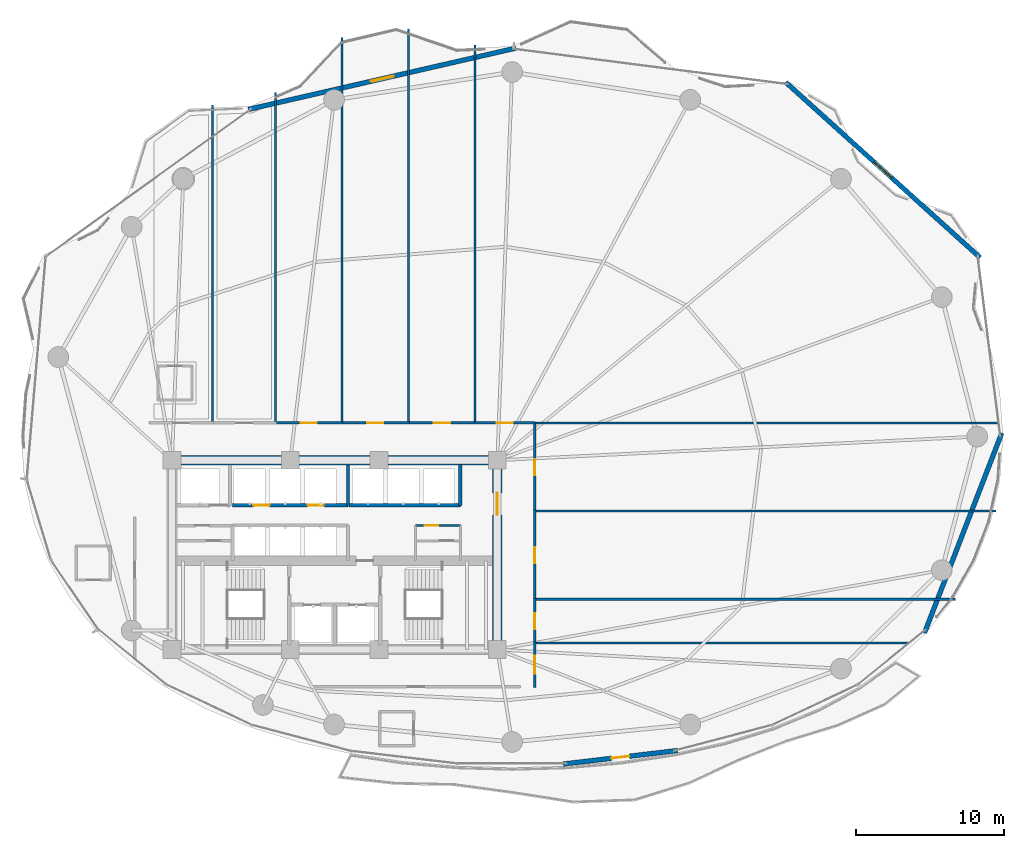
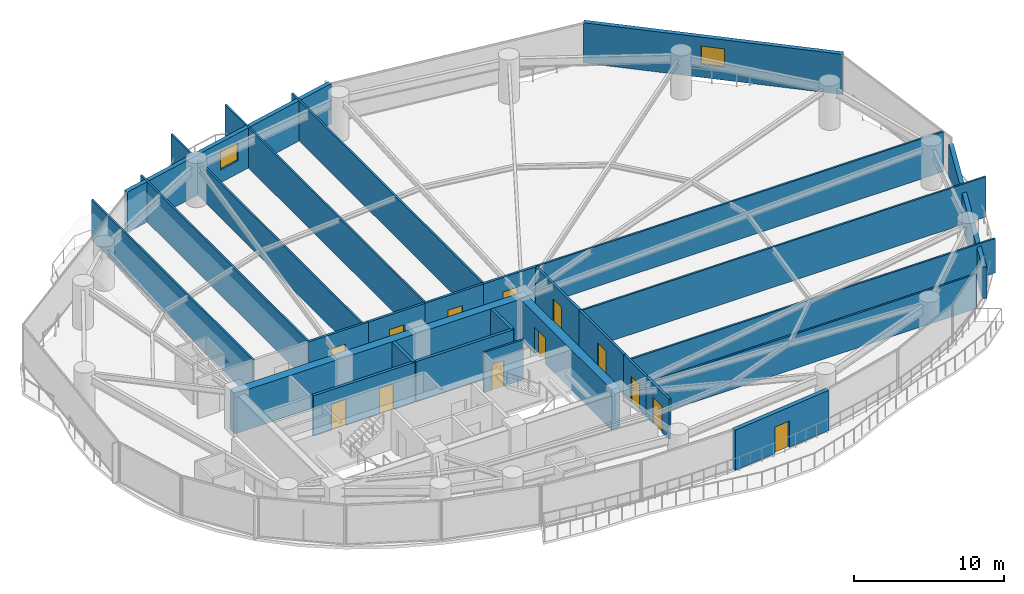
# One storey, part 26 of 30: 28 walls, 13 doors, 2 windows, 15 openings.
"""IFC4 building model written with IfcOpenShell, lengths in metres."""

from ifc_helpers import new_model, si_unit, direction, frame, frame_2d, origin, place, context, subcontext, project, spatial, rectangle, extrude, material, layer, layer_set, type_object, element, fill, save


model = new_model("IFC4")

# Units and contexts
model_context = context("Model", 3, precision=1e-05, world=origin(), true_north=direction((0.0, 1.0)))
body_context = subcontext(model_context, "Body", "Model", "MODEL_VIEW")
ifc_project = project(units=[si_unit("LENGTHUNIT", "METRE"), si_unit("AREAUNIT", "SQUARE_METRE"), si_unit("VOLUMEUNIT", "CUBIC_METRE"), si_unit("PLANEANGLEUNIT", "RADIAN"), si_unit("MASSUNIT", "GRAM", prefix="KILO")], contexts=[model_context])

# Site, building, storey
site_placement = place(None, origin())
site = spatial("IfcSite", under=ifc_project, at=site_placement, CompositionType="ELEMENT")
building_placement = place(site_placement, origin())
building = spatial("IfcBuilding", under=site, at=building_placement, Name="Kazevale Care Tower and Concert Hall", CompositionType="ELEMENT")
storey_placement = place(building_placement, frame((0.0, 0.0, 88.800048828125)))
storey = spatial("IfcBuildingStorey", under=building, at=storey_placement, Name="L23", CompositionType="ELEMENT", Elevation=88.800048828125)

# Wall, opening, door
ifc_material_1 = material(Name="Acoustic Gypsum on Steel Stud", Category="steel")
ifc_layer_1 = layer(ifc_material_1, 0.139892578125)
ifc_layer_set_1 = layer_set([ifc_layer_1], Name="Acoustic Gypsum on Steel Stud")
wall_type_1 = type_object("IfcWallType", Name="Acoustic Care & Suite Partition 140", PredefinedType="PARTITIONING", material=ifc_layer_set_1)
wall_1_placement = place(storey_placement, frame((38.47998046875, 31.97998046875, 0.0), z_axis=(0.0, 0.0, 1.0), x_axis=(1.0, 0.0, 0.0)))
wall_1 = element("IfcWall", 1, at=wall_1_placement, inside=storey, type_object=wall_type_1, Name="wall:L23:kc_en", PredefinedType="PARTITIONING", context=body_context, shape_type="SweptSolid", body=[
    extrude(rectangle(XDim=3.0400390625, YDim=0.139892578125, at=frame_2d((1.52001953125, 0.0))), origin(), (0.0, 0.0, 1.0), 3.280029296875),
])
opening_1_placement = place(wall_1_placement, frame((0.614013671875, 0.0, 0.0)))
opening_1 = element("IfcOpeningElement", 2, at=opening_1_placement, cuts=wall_1, Name="Opening ID-900", PredefinedType="OPENING", context=body_context, shape_type="SweptSolid", body=[
    extrude(rectangle(XDim=0.919921875, YDim=2.10009765625, at=frame_2d((0.4599609375, 1.050048828125))), frame((0.0, 0.079833984375, 0.0), z_axis=(0.0, -1.0, 0.0), x_axis=(1.0, 0.0, 0.0)), (0.0, 0.0, 1.0), 0.159912109375),
])
ifc_material_2 = material(Name="Oak Timber Fire Leaf", Category="wood")
door_type_1 = type_object("IfcDoorType", Name="Bathroom & Service Door 920x2100", OperationType="NOTDEFINED", PredefinedType="DOOR", material=ifc_material_2)
door_1_placement = place(opening_1_placement, origin())
door_1 = element("IfcDoor", 3, at=door_1_placement, inside=storey, type_object=door_type_1, Name="door:L23:d_kcet", OperationType="SINGLE_SWING_LEFT", OverallHeight=2.10009765625, OverallWidth=0.919921875, PredefinedType="DOOR", context=body_context, shape_type="SweptSolid", body=[
    extrude(rectangle(XDim=0.919921875, YDim=2.10009765625, at=frame_2d((0.4599609375, 1.050048828125))), frame((0.0, 0.02490234375, 0.0), z_axis=(0.0, -1.0, 0.0), x_axis=(1.0, 0.0, 0.0)), (0.0, 0.0, 1.0), 0.050048828125),
])
fill(opening_1, door_1)

# Walls
wall_2_placement = place(storey_placement, frame((24.75, 60.43896484375, 0.0), z_axis=(0.0, 0.0, 1.0), x_axis=(0.0, -1.0, 0.0)))
element("IfcWall", 4, at=wall_2_placement, inside=storey, type_object=wall_type_1, Name="wall:L23:auto_013", PredefinedType="PARTITIONING", context=body_context, shape_type="SweptSolid", body=[
    extrude(rectangle(XDim=21.5439453125, YDim=0.139892578125, at=frame_2d((10.77197265625, 0.0))), origin(), (0.0, 0.0, 1.0), 3.280029296875),
])
wall_3_placement = place(storey_placement, frame((29.0, 61.26806640625, 0.0), z_axis=(0.0, 0.0, 1.0), x_axis=(0.0, -1.0, 0.0)))
element("IfcWall", 5, at=wall_3_placement, inside=storey, type_object=wall_type_1, Name="wall:L23:auto_014", PredefinedType="PARTITIONING", context=body_context, shape_type="SweptSolid", body=[
    extrude(rectangle(XDim=22.373046875, YDim=0.139892578125, at=frame_2d((11.1865234375, 0.0))), origin(), (0.0, 0.0, 1.0), 3.280029296875),
])
wall_4_placement = place(storey_placement, frame((33.5, 64.97998046875, 0.0), z_axis=(0.0, 0.0, 1.0), x_axis=(0.0, -1.0, 0.0)))
element("IfcWall", 6, at=wall_4_placement, inside=storey, type_object=wall_type_1, Name="wall:L23:auto_015", PredefinedType="PARTITIONING", context=body_context, shape_type="SweptSolid", body=[
    extrude(rectangle(XDim=26.0849609375, YDim=0.139892578125, at=frame_2d((13.04248046875, 0.0))), origin(), (0.0, 0.0, 1.0), 2.81005859375),
])
wall_5_placement = place(storey_placement, frame((38.0, 65.548095703125, 0.0), z_axis=(0.0, 0.0, 1.0), x_axis=(0.0, -1.0, 0.0)))
element("IfcWall", 7, at=wall_5_placement, inside=storey, type_object=wall_type_1, Name="wall:L23:auto_016", PredefinedType="PARTITIONING", context=body_context, shape_type="SweptSolid", body=[
    extrude(rectangle(XDim=26.653076171875, YDim=0.139892578125, at=frame_2d((13.32666015625, 0.0))), origin(), (0.0, 0.0, 1.0), 3.280029296875),
])
wall_6_placement = place(storey_placement, frame((42.5, 64.488037109375, 0.0), z_axis=(0.0, 0.0, 1.0), x_axis=(0.0, -1.0, 0.0)))
element("IfcWall", 8, at=wall_6_placement, inside=storey, type_object=wall_type_1, Name="wall:L23:auto_017", PredefinedType="PARTITIONING", context=body_context, shape_type="SweptSolid", body=[
    extrude(rectangle(XDim=25.593017578125, YDim=0.139892578125, at=frame_2d((12.79638671875, 0.0))), origin(), (0.0, 0.0, 1.0), 3.280029296875),
])
wall_7_placement = place(storey_placement, frame((77.89404296875, 38.925048828125, 0.0), z_axis=(0.0, 0.0, 1.0), x_axis=(-1.0, 0.0, 0.0)))
element("IfcWall", 9, at=wall_7_placement, inside=storey, type_object=wall_type_1, Name="wall:L23:auto_018", PredefinedType="PARTITIONING", context=body_context, shape_type="SweptSolid", body=[
    extrude(rectangle(XDim=31.43408203125, YDim=0.139892578125, at=frame_2d((15.717041015625, 0.0))), origin(), (0.0, 0.0, 1.0), 3.280029296875),
])
wall_8_placement = place(storey_placement, frame((46.4951171875, 24.0400390625, 0.0), z_axis=(0.0, 0.0, 1.0), x_axis=(1.0, 0.0, 0.0)))
element("IfcWall", 10, at=wall_8_placement, inside=storey, type_object=wall_type_1, Name="wall:L23:auto_019", PredefinedType="PARTITIONING", context=body_context, shape_type="SweptSolid", body=[
    extrude(rectangle(XDim=25.343505859375, YDim=0.139892578125, at=frame_2d((12.671875, 0.0))), origin(), (0.0, 0.0, 1.0), 2.81005859375),
])
wall_9_placement = place(storey_placement, frame((46.4951171875, 27.0, 0.0), z_axis=(0.0, 0.0, 1.0), x_axis=(1.0, 0.0, 0.0)))
element("IfcWall", 11, at=wall_9_placement, inside=storey, type_object=wall_type_1, Name="wall:L23:auto_020", PredefinedType="PARTITIONING", context=body_context, shape_type="SweptSolid", body=[
    extrude(rectangle(XDim=28.498779296875, YDim=0.139892578125, at=frame_2d((14.24951171875, 0.0))), origin(), (0.0, 0.0, 1.0), 2.81005859375),
])
wall_10_placement = place(storey_placement, frame((46.4951171875, 32.9599609375, 0.0), z_axis=(0.0, 0.0, 1.0), x_axis=(1.0, 0.0, 0.0)))
element("IfcWall", 12, at=wall_10_placement, inside=storey, type_object=wall_type_1, Name="wall:L23:auto_021", PredefinedType="PARTITIONING", context=body_context, shape_type="SweptSolid", body=[
    extrude(rectangle(XDim=31.227783203125, YDim=0.139892578125, at=frame_2d((15.61376953125, 0.0))), origin(), (0.0, 0.0, 1.0), 3.280029296875),
])
ifc_material_3 = material(Name="Concrete C70", Category="concrete")
ifc_layer_2 = layer(ifc_material_3, 0.64990234375)
ifc_layer_set_2 = layer_set([ifc_layer_2], Name="Concrete C70")
wall_type_2 = type_object("IfcWallType", Name="Core Shear Wall 650 C70", PredefinedType="SHEAR", material=ifc_layer_set_2)
wall_11_placement = place(storey_placement, frame((21.675048828125, 36.39990234375, 0.0), z_axis=(0.0, 0.0, 1.0), x_axis=(1.0, 0.0, 0.0)))
element("IfcWall", 13, at=wall_11_placement, inside=storey, type_object=wall_type_2, Name="wall:L23:core:N", PredefinedType="SHEAR", context=body_context, shape_type="SweptSolid", body=[
    extrude(rectangle(XDim=22.64990234375, YDim=0.64990234375, at=frame_2d((11.324951171875, 0.0))), origin(), (0.0, 0.0, 1.0), 3.280029296875),
])

# Wall, opening, door
wall_12_placement = place(storey_placement, frame((44.0, 23.925048828125, 0.0), z_axis=(0.0, 0.0, 1.0), x_axis=(0.0, 1.0, 0.0)))
wall_12 = element("IfcWall", 14, at=wall_12_placement, inside=storey, type_object=wall_type_2, Name="wall:L23:core:E", PredefinedType="SHEAR", context=body_context, shape_type="SweptSolid", body=[
    extrude(rectangle(XDim=12.14990234375, YDim=0.64990234375, at=frame_2d((6.074951171875, 0.0))), origin(), (0.0, 0.0, 1.0), 3.280029296875),
])
opening_2_placement = place(wall_12_placement, frame((8.77490234375, 0.0, 0.0)))
opening_2 = element("IfcOpeningElement", 15, at=opening_2_placement, cuts=wall_12, Name="Opening FD-60D", PredefinedType="OPENING", context=body_context, shape_type="SweptSolid", body=[
    extrude(rectangle(XDim=1.5, YDim=2.14990234375, at=frame_2d((0.75, 1.074951171875))), frame((0.0, 0.3349609375, 0.0), z_axis=(0.0, -1.0, 0.0), x_axis=(1.0, 0.0, 0.0)), (0.0, 0.0, 1.0), 0.669921875),
])
door_type_2 = type_object("IfcDoorType", Name="Double Lobby & Auditorium Fire Door 1500x2150", OperationType="NOTDEFINED", PredefinedType="DOOR", material=ifc_material_2)
door_2_placement = place(opening_2_placement, origin())
door_2 = element("IfcDoor", 16, at=door_2_placement, inside=storey, type_object=door_type_2, Name="door:L23:core_east_out", OperationType="DOUBLE_DOOR_SINGLE_SWING", OverallHeight=2.14990234375, OverallWidth=1.5, PredefinedType="DOOR", context=body_context, shape_type="SweptSolid", body=[
    extrude(rectangle(XDim=1.5, YDim=2.14990234375, at=frame_2d((0.75, 1.074951171875))), frame((0.0, 0.02490234375, 0.0), z_axis=(0.0, -1.0, 0.0), x_axis=(1.0, 0.0, 0.0)), (0.0, 0.0, 1.0), 0.050048828125),
])
fill(opening_2, door_2)

# Wall, openings, doors
ifc_material_4 = material(Name="Concrete C40", Category="concrete")
ifc_layer_3 = layer(ifc_material_4, 0.219970703125)
ifc_layer_set_3 = layer_set([ifc_layer_3], Name="Concrete C40")
wall_type_3 = type_object("IfcWallType", Name="Elevator Hoistway Shaft Wall 220", PredefinedType="SOLIDWALL", material=ifc_layer_set_3)
wall_13_placement = place(storey_placement, frame((26.10009765625, 33.35009765625, 0.0), z_axis=(0.0, 0.0, 1.0), x_axis=(1.0, 0.0, 0.0)))
wall_13 = element("IfcWall", 17, at=wall_13_placement, inside=storey, type_object=wall_type_3, Name="wall:L23:c_pl_s", PredefinedType="SOLIDWALL", context=body_context, shape_type="SweptSolid", body=[
    extrude(rectangle(XDim=7.7998046875, YDim=0.219970703125, at=frame_2d((3.89990234375, 0.0))), origin(), (0.0, 0.0, 1.0), 3.280029296875),
])
opening_3_placement = place(wall_13_placement, frame((1.39990234375, 0.0, 0.0)))
opening_3 = element("IfcOpeningElement", 18, at=opening_3_placement, cuts=wall_13, Name="Opening LD-PAX", PredefinedType="OPENING", context=body_context, shape_type="SweptSolid", body=[
    extrude(rectangle(XDim=1.10009765625, YDim=2.10009765625, at=frame_2d((0.550048828125, 1.050048828125))), frame((0.0, 0.119873046875, 0.0), z_axis=(0.0, -1.0, 0.0), x_axis=(1.0, 0.0, 0.0)), (0.0, 0.0, 1.0), 0.239990234375),
])
opening_4_placement = place(wall_13_placement, frame((5.06591796875, 0.0, 0.0)))
opening_4 = element("IfcOpeningElement", 19, at=opening_4_placement, cuts=wall_13, Name="Opening LD-PAX", PredefinedType="OPENING", context=body_context, shape_type="SweptSolid", body=[
    extrude(rectangle(XDim=1.10009765625, YDim=2.10009765625, at=frame_2d((0.550048828125, 1.050048828125))), frame((0.0, 0.119873046875, 0.0), z_axis=(0.0, -1.0, 0.0), x_axis=(1.0, 0.0, 0.0)), (0.0, 0.0, 1.0), 0.239990234375),
])
ifc_material_5 = material(Name="Stainless Steel 316", Category="steel")
door_type_3 = type_object("IfcDoorType", Name="Passenger Lift Sliding Landing Door 1100x2100", OperationType="NOTDEFINED", PredefinedType="DOOR", material=ifc_material_5)
door_3_placement = place(opening_3_placement, origin())
door_3 = element("IfcDoor", 20, at=door_3_placement, inside=storey, type_object=door_type_3, Name="door:L23:ld_pl1", OperationType="SLIDING_TO_LEFT", OverallHeight=2.10009765625, OverallWidth=1.10009765625, PredefinedType="DOOR", context=body_context, shape_type="SweptSolid", body=[
    extrude(rectangle(XDim=1.10009765625, YDim=2.10009765625, at=frame_2d((0.550048828125, 1.050048828125))), frame((0.0, 0.02490234375, 0.0), z_axis=(0.0, -1.0, 0.0), x_axis=(1.0, 0.0, 0.0)), (0.0, 0.0, 1.0), 0.050048828125),
])
fill(opening_3, door_3)
door_4_placement = place(opening_4_placement, origin())
door_4 = element("IfcDoor", 21, at=door_4_placement, inside=storey, type_object=door_type_3, Name="door:L23:ld_pl2", OperationType="SLIDING_TO_RIGHT", OverallHeight=2.10009765625, OverallWidth=1.10009765625, PredefinedType="DOOR", context=body_context, shape_type="SweptSolid", body=[
    extrude(rectangle(XDim=1.10009765625, YDim=2.10009765625, at=frame_2d((0.550048828125, 1.050048828125))), frame((0.0, 0.02490234375, 0.0), z_axis=(0.0, -1.0, 0.0), x_axis=(1.0, 0.0, 0.0)), (0.0, 0.0, 1.0), 0.050048828125),
])
fill(opening_4, door_4)

# Walls
wall_14_placement = place(storey_placement, frame((33.89990234375, 33.35009765625, 0.0), z_axis=(0.0, 0.0, 1.0), x_axis=(0.0, 1.0, 0.0)))
element("IfcWall", 22, at=wall_14_placement, inside=storey, type_object=wall_type_3, Name="wall:L23:c_pl_e", PredefinedType="SOLIDWALL", context=body_context, shape_type="SweptSolid", body=[
    extrude(rectangle(XDim=2.72998046875, YDim=0.219970703125, at=frame_2d((1.364990234375, 0.0))), origin(), (0.0, 0.0, 1.0), 3.280029296875),
])
wall_15_placement = place(storey_placement, frame((33.97998046875, 33.35009765625, 0.0), z_axis=(0.0, 0.0, 1.0), x_axis=(1.0, 0.0, 0.0)))
element("IfcWall", 23, at=wall_15_placement, inside=storey, type_object=wall_type_3, Name="wall:L23:c_pm_s", PredefinedType="SOLIDWALL", context=body_context, shape_type="SweptSolid", body=[
    extrude(rectangle(XDim=7.5400390625, YDim=0.219970703125, at=frame_2d((3.77001953125, 0.0))), origin(), (0.0, 0.0, 1.0), 3.280029296875),
])
wall_16_placement = place(storey_placement, frame((41.5, 33.35009765625, 0.0), z_axis=(0.0, 0.0, 1.0), x_axis=(0.0, 1.0, 0.0)))
element("IfcWall", 24, at=wall_16_placement, inside=storey, type_object=wall_type_3, Name="wall:L23:c_pm_e", PredefinedType="SOLIDWALL", context=body_context, shape_type="SweptSolid", body=[
    extrude(rectangle(XDim=2.75, YDim=0.219970703125, at=frame_2d((1.375, 0.0))), origin(), (0.0, 0.0, 1.0), 3.280029296875),
])

# Wall, opening, door
ifc_material_6 = material(Name="Concrete C40 and Acoustic Gypsum", Category="concrete")
ifc_layer_4 = layer(ifc_material_6, 0.179931640625)
ifc_layer_set_4 = layer_set([ifc_layer_4], Name="Concrete C40 and Acoustic Gypsum")
wall_type_4 = type_object("IfcWallType", Name="Fire-Rated Corridor & Party Wall 180", PredefinedType="PARTITIONING", material=ifc_layer_set_4)
wall_17_placement = place(storey_placement, frame((28.93505859375, 38.925048828125, 0.0), z_axis=(0.0, 0.0, 1.0), x_axis=(1.0, 0.0, 0.0)))
wall_17 = element("IfcWall", 25, at=wall_17_placement, inside=storey, type_object=wall_type_4, Name="wall:L23:auto_003", PredefinedType="PARTITIONING", context=body_context, shape_type="SweptSolid", body=[
    extrude(rectangle(XDim=4.6298828125, YDim=0.179931640625, at=frame_2d((2.31494140625, 0.0))), origin(), (0.0, 0.0, 1.0), 3.280029296875),
])
opening_5_placement = place(wall_17_placement, frame((1.764892578125, 0.0, 0.0)))
opening_5 = element("IfcOpeningElement", 26, at=opening_5_placement, cuts=wall_17, Name="Opening ID-1100", PredefinedType="OPENING", context=body_context, shape_type="SweptSolid", body=[
    extrude(rectangle(XDim=1.10009765625, YDim=2.10009765625, at=frame_2d((0.550048828125, 1.050048828125))), frame((0.0, 0.099853515625, 0.0), z_axis=(0.0, -1.0, 0.0), x_axis=(1.0, 0.0, 0.0)), (0.0, 0.0, 1.0), 0.199951171875),
])
door_type_4 = type_object("IfcDoorType", Name="Care Bedroom Accessible Door 1100x2100", OperationType="NOTDEFINED", PredefinedType="DOOR", material=ifc_material_2)
door_5_placement = place(opening_5_placement, origin())
door_5 = element("IfcDoor", 27, at=door_5_placement, inside=storey, type_object=door_type_4, Name="door:L23:ad_003", OperationType="SINGLE_SWING_LEFT", OverallHeight=2.10009765625, OverallWidth=1.10009765625, PredefinedType="DOOR", context=body_context, shape_type="SweptSolid", body=[
    extrude(rectangle(XDim=1.10009765625, YDim=2.10009765625, at=frame_2d((0.550048828125, 1.050048828125))), frame((0.0, 0.02490234375, 0.0), z_axis=(0.0, -1.0, 0.0), x_axis=(1.0, 0.0, 0.0)), (0.0, 0.0, 1.0), 0.050048828125),
])
fill(opening_5, door_5)

wall_18_placement = place(storey_placement, frame((33.43505859375, 38.925048828125, 0.0), z_axis=(0.0, 0.0, 1.0), x_axis=(1.0, 0.0, 0.0)))
wall_18 = element("IfcWall", 28, at=wall_18_placement, inside=storey, type_object=wall_type_4, Name="wall:L23:auto_004", PredefinedType="PARTITIONING", context=body_context, shape_type="SweptSolid", body=[
    extrude(rectangle(XDim=4.6298828125, YDim=0.179931640625, at=frame_2d((2.31494140625, 0.0))), origin(), (0.0, 0.0, 1.0), 3.280029296875),
])
opening_6_placement = place(wall_18_placement, frame((1.764892578125, 0.0, 0.0)))
opening_6 = element("IfcOpeningElement", 29, at=opening_6_placement, cuts=wall_18, Name="Opening ID-1100", PredefinedType="OPENING", context=body_context, shape_type="SweptSolid", body=[
    extrude(rectangle(XDim=1.10009765625, YDim=2.10009765625, at=frame_2d((0.550048828125, 1.050048828125))), frame((0.0, 0.099853515625, 0.0), z_axis=(0.0, -1.0, 0.0), x_axis=(1.0, 0.0, 0.0)), (0.0, 0.0, 1.0), 0.199951171875),
])
door_6_placement = place(opening_6_placement, origin())
door_6 = element("IfcDoor", 30, at=door_6_placement, inside=storey, type_object=door_type_4, Name="door:L23:ad_004", OperationType="SINGLE_SWING_LEFT", OverallHeight=2.10009765625, OverallWidth=1.10009765625, PredefinedType="DOOR", context=body_context, shape_type="SweptSolid", body=[
    extrude(rectangle(XDim=1.10009765625, YDim=2.10009765625, at=frame_2d((0.550048828125, 1.050048828125))), frame((0.0, 0.02490234375, 0.0), z_axis=(0.0, -1.0, 0.0), x_axis=(1.0, 0.0, 0.0)), (0.0, 0.0, 1.0), 0.050048828125),
])
fill(opening_6, door_6)

wall_19_placement = place(storey_placement, frame((37.93505859375, 38.925048828125, 0.0), z_axis=(0.0, 0.0, 1.0), x_axis=(1.0, 0.0, 0.0)))
wall_19 = element("IfcWall", 31, at=wall_19_placement, inside=storey, type_object=wall_type_4, Name="wall:L23:auto_005", PredefinedType="PARTITIONING", context=body_context, shape_type="SweptSolid", body=[
    extrude(rectangle(XDim=4.6298828125, YDim=0.179931640625, at=frame_2d((2.31494140625, 0.0))), origin(), (0.0, 0.0, 1.0), 3.280029296875),
])
opening_7_placement = place(wall_19_placement, frame((1.764892578125, 0.0, 0.0)))
opening_7 = element("IfcOpeningElement", 32, at=opening_7_placement, cuts=wall_19, Name="Opening ID-1100", PredefinedType="OPENING", context=body_context, shape_type="SweptSolid", body=[
    extrude(rectangle(XDim=1.10009765625, YDim=2.10009765625, at=frame_2d((0.550048828125, 1.050048828125))), frame((0.0, 0.099853515625, 0.0), z_axis=(0.0, -1.0, 0.0), x_axis=(1.0, 0.0, 0.0)), (0.0, 0.0, 1.0), 0.199951171875),
])
door_7_placement = place(opening_7_placement, origin())
door_7 = element("IfcDoor", 33, at=door_7_placement, inside=storey, type_object=door_type_4, Name="door:L23:ad_005", OperationType="SINGLE_SWING_LEFT", OverallHeight=2.10009765625, OverallWidth=1.10009765625, PredefinedType="DOOR", context=body_context, shape_type="SweptSolid", body=[
    extrude(rectangle(XDim=1.10009765625, YDim=2.10009765625, at=frame_2d((0.550048828125, 1.050048828125))), frame((0.0, 0.02490234375, 0.0), z_axis=(0.0, -1.0, 0.0), x_axis=(1.0, 0.0, 0.0)), (0.0, 0.0, 1.0), 0.050048828125),
])
fill(opening_7, door_7)

wall_20_placement = place(storey_placement, frame((42.43505859375, 38.925048828125, 0.0), z_axis=(0.0, 0.0, 1.0), x_axis=(1.0, 0.0, 0.0)))
wall_20 = element("IfcWall", 34, at=wall_20_placement, inside=storey, type_object=wall_type_4, Name="wall:L23:auto_006", PredefinedType="PARTITIONING", context=body_context, shape_type="SweptSolid", body=[
    extrude(rectangle(XDim=4.119873046875, YDim=0.179931640625, at=frame_2d((2.06005859375, 0.0))), origin(), (0.0, 0.0, 1.0), 3.280029296875),
])
opening_8_placement = place(wall_20_placement, frame((1.510009765625, 0.0, 0.0)))
opening_8 = element("IfcOpeningElement", 35, at=opening_8_placement, cuts=wall_20, Name="Opening ID-1100", PredefinedType="OPENING", context=body_context, shape_type="SweptSolid", body=[
    extrude(rectangle(XDim=1.10009765625, YDim=2.10009765625, at=frame_2d((0.550048828125, 1.050048828125))), frame((0.0, 0.099853515625, 0.0), z_axis=(0.0, -1.0, 0.0), x_axis=(1.0, 0.0, 0.0)), (0.0, 0.0, 1.0), 0.199951171875),
])
door_8_placement = place(opening_8_placement, origin())
door_8 = element("IfcDoor", 36, at=door_8_placement, inside=storey, type_object=door_type_4, Name="door:L23:ad_006", OperationType="SINGLE_SWING_LEFT", OverallHeight=2.10009765625, OverallWidth=1.10009765625, PredefinedType="DOOR", context=body_context, shape_type="SweptSolid", body=[
    extrude(rectangle(XDim=1.10009765625, YDim=2.10009765625, at=frame_2d((0.550048828125, 1.050048828125))), frame((0.0, 0.02490234375, 0.0), z_axis=(0.0, -1.0, 0.0), x_axis=(1.0, 0.0, 0.0)), (0.0, 0.0, 1.0), 0.050048828125),
])
fill(opening_8, door_8)

wall_21_placement = place(storey_placement, frame((46.52490234375, 24.10498046875, 0.0), z_axis=(0.0, 0.0, 1.0), x_axis=(0.0, -1.0, 0.0)))
wall_21 = element("IfcWall", 37, at=wall_21_placement, inside=storey, type_object=wall_type_4, Name="wall:L23:auto_007", PredefinedType="PARTITIONING", context=body_context, shape_type="SweptSolid", body=[
    extrude(rectangle(XDim=3.06005859375, YDim=0.179931640625, at=frame_2d((1.530029296875, 0.0))), origin(), (0.0, 0.0, 1.0), 3.280029296875),
])
opening_9_placement = place(wall_21_placement, frame((0.929931640625, 0.0, 0.0)))
opening_9 = element("IfcOpeningElement", 38, at=opening_9_placement, cuts=wall_21, Name="Opening ID-1200", PredefinedType="OPENING", context=body_context, shape_type="SweptSolid", body=[
    extrude(rectangle(XDim=1.199951171875, YDim=2.14990234375, at=frame_2d((0.60009765625, 1.074951171875))), frame((0.0, 0.099853515625, 0.0), z_axis=(0.0, -1.0, 0.0), x_axis=(1.0, 0.0, 0.0)), (0.0, 0.0, 1.0), 0.199951171875),
])
door_type_5 = type_object("IfcDoorType", Name="Clinical & Therapy Door 1200x2150", OperationType="NOTDEFINED", PredefinedType="DOOR", material=ifc_material_2)
door_9_placement = place(opening_9_placement, origin())
door_9 = element("IfcDoor", 39, at=door_9_placement, inside=storey, type_object=door_type_5, Name="door:L23:ad_007", OperationType="SINGLE_SWING_LEFT", OverallHeight=2.14990234375, OverallWidth=1.199951171875, PredefinedType="DOOR", context=body_context, shape_type="SweptSolid", body=[
    extrude(rectangle(XDim=1.199951171875, YDim=2.14990234375, at=frame_2d((0.60009765625, 1.074951171875))), frame((0.0, 0.02490234375, 0.0), z_axis=(0.0, -1.0, 0.0), x_axis=(1.0, 0.0, 0.0)), (0.0, 0.0, 1.0), 0.050048828125),
])
fill(opening_9, door_9)

wall_22_placement = place(storey_placement, frame((46.52490234375, 27.06494140625, 0.0), z_axis=(0.0, 0.0, 1.0), x_axis=(0.0, -1.0, 0.0)))
wall_22 = element("IfcWall", 40, at=wall_22_placement, inside=storey, type_object=wall_type_4, Name="wall:L23:auto_008", PredefinedType="PARTITIONING", context=body_context, shape_type="SweptSolid", body=[
    extrude(rectangle(XDim=3.08984375, YDim=0.179931640625, at=frame_2d((1.544921875, 0.0))), origin(), (0.0, 0.0, 1.0), 3.280029296875),
])
opening_10_placement = place(wall_22_placement, frame((0.9951171875, 0.0, 0.0)))
opening_10 = element("IfcOpeningElement", 41, at=opening_10_placement, cuts=wall_22, Name="Opening ID-1100", PredefinedType="OPENING", context=body_context, shape_type="SweptSolid", body=[
    extrude(rectangle(XDim=1.10009765625, YDim=2.10009765625, at=frame_2d((0.550048828125, 1.050048828125))), frame((0.0, 0.099853515625, 0.0), z_axis=(0.0, -1.0, 0.0), x_axis=(1.0, 0.0, 0.0)), (0.0, 0.0, 1.0), 0.199951171875),
])
door_10_placement = place(opening_10_placement, origin())
door_10 = element("IfcDoor", 42, at=door_10_placement, inside=storey, type_object=door_type_4, Name="door:L23:ad_008", OperationType="SINGLE_SWING_LEFT", OverallHeight=2.10009765625, OverallWidth=1.10009765625, PredefinedType="DOOR", context=body_context, shape_type="SweptSolid", body=[
    extrude(rectangle(XDim=1.10009765625, YDim=2.10009765625, at=frame_2d((0.550048828125, 1.050048828125))), frame((0.0, 0.02490234375, 0.0), z_axis=(0.0, -1.0, 0.0), x_axis=(1.0, 0.0, 0.0)), (0.0, 0.0, 1.0), 0.050048828125),
])
fill(opening_10, door_10)

wall_23_placement = place(storey_placement, frame((46.52490234375, 33.02490234375, 0.0), z_axis=(0.0, 0.0, 1.0), x_axis=(0.0, -1.0, 0.0)))
wall_23 = element("IfcWall", 43, at=wall_23_placement, inside=storey, type_object=wall_type_4, Name="wall:L23:auto_009", PredefinedType="PARTITIONING", context=body_context, shape_type="SweptSolid", body=[
    extrude(rectangle(XDim=6.08984375, YDim=0.179931640625, at=frame_2d((3.044921875, 0.0))), origin(), (0.0, 0.0, 1.0), 3.280029296875),
])
opening_11_placement = place(wall_23_placement, frame((2.4951171875, 0.0, 0.0)))
opening_11 = element("IfcOpeningElement", 44, at=opening_11_placement, cuts=wall_23, Name="Opening ID-1100", PredefinedType="OPENING", context=body_context, shape_type="SweptSolid", body=[
    extrude(rectangle(XDim=1.10009765625, YDim=2.10009765625, at=frame_2d((0.550048828125, 1.050048828125))), frame((0.0, 0.099853515625, 0.0), z_axis=(0.0, -1.0, 0.0), x_axis=(1.0, 0.0, 0.0)), (0.0, 0.0, 1.0), 0.199951171875),
])
door_11_placement = place(opening_11_placement, origin())
door_11 = element("IfcDoor", 45, at=door_11_placement, inside=storey, type_object=door_type_4, Name="door:L23:ad_009", OperationType="SINGLE_SWING_LEFT", OverallHeight=2.10009765625, OverallWidth=1.10009765625, PredefinedType="DOOR", context=body_context, shape_type="SweptSolid", body=[
    extrude(rectangle(XDim=1.10009765625, YDim=2.10009765625, at=frame_2d((0.550048828125, 1.050048828125))), frame((0.0, 0.02490234375, 0.0), z_axis=(0.0, -1.0, 0.0), x_axis=(1.0, 0.0, 0.0)), (0.0, 0.0, 1.0), 0.050048828125),
])
fill(opening_11, door_11)

wall_24_placement = place(storey_placement, frame((46.52490234375, 38.955078125, 0.0), z_axis=(0.0, 0.0, 1.0), x_axis=(0.0, -1.0, 0.0)))
wall_24 = element("IfcWall", 46, at=wall_24_placement, inside=storey, type_object=wall_type_4, Name="wall:L23:auto_010", PredefinedType="PARTITIONING", context=body_context, shape_type="SweptSolid", body=[
    extrude(rectangle(XDim=6.06005859375, YDim=0.179931640625, at=frame_2d((3.030029296875, 0.0))), origin(), (0.0, 0.0, 1.0), 3.280029296875),
])
opening_12_placement = place(wall_24_placement, frame((2.47998046875, 0.0, 0.0)))
opening_12 = element("IfcOpeningElement", 47, at=opening_12_placement, cuts=wall_24, Name="Opening ID-1100", PredefinedType="OPENING", context=body_context, shape_type="SweptSolid", body=[
    extrude(rectangle(XDim=1.10009765625, YDim=2.10009765625, at=frame_2d((0.550048828125, 1.050048828125))), frame((0.0, 0.099853515625, 0.0), z_axis=(0.0, -1.0, 0.0), x_axis=(1.0, 0.0, 0.0)), (0.0, 0.0, 1.0), 0.199951171875),
])
door_12_placement = place(opening_12_placement, origin())
door_12 = element("IfcDoor", 48, at=door_12_placement, inside=storey, type_object=door_type_4, Name="door:L23:ad_010", OperationType="SINGLE_SWING_LEFT", OverallHeight=2.10009765625, OverallWidth=1.10009765625, PredefinedType="DOOR", context=body_context, shape_type="SweptSolid", body=[
    extrude(rectangle(XDim=1.10009765625, YDim=2.10009765625, at=frame_2d((0.550048828125, 1.050048828125))), frame((0.0, 0.02490234375, 0.0), z_axis=(0.0, -1.0, 0.0), x_axis=(1.0, 0.0, 0.0)), (0.0, 0.0, 1.0), 0.050048828125),
])
fill(opening_12, door_12)

# Wall
ifc_material_7 = material(Name="Concrete C40 with Honed Limestone Cladding", Category="masonry")
ifc_layer_5 = layer(ifc_material_7, 0.320068359375)
ifc_layer_set_5 = layer_set([ifc_layer_5], Name="Concrete C40 with Honed Limestone Cladding")
wall_type_5 = type_object("IfcWallType", Name="Tower Honed Limestone Spandrel Wall 320", PredefinedType="STANDARD", material=ifc_layer_set_5)
wall_25_placement = place(storey_placement, frame((78.114013671875, 38.242919921875, 0.0), z_axis=(0.0, 0.0, 1.0), x_axis=(-0.360517110943, -0.932752599952, 0.0)))
element("IfcWall", 49, at=wall_25_placement, inside=storey, type_object=wall_type_5, Name="wall:cw:L23:f01", PredefinedType="STANDARD", context=body_context, shape_type="SweptSolid", body=[
    extrude(rectangle(XDim=14.504150390625, YDim=0.320068359375, at=frame_2d((7.251953125, 0.0))), origin(), (0.0, 0.0, 1.0), 2.576904296875),
])

# Wall, opening, door
wall_26_placement = place(storey_placement, frame((56.18994140625, 16.77197265625, 0.0), z_axis=(0.0, 0.0, 1.0), x_axis=(-0.993056646691, -0.117637138959, 0.0)))
wall_26 = element("IfcWall", 50, at=wall_26_placement, inside=storey, type_object=wall_type_5, Name="wall:L23:bal_host", PredefinedType="STANDARD", context=body_context, shape_type="SweptSolid", body=[
    extrude(rectangle(XDim=7.795166015625, YDim=0.320068359375, at=frame_2d((3.8974609375, 0.0))), origin(), (0.0, 0.0, 1.0), 3.280029296875),
])
opening_13_placement = place(wall_26_placement, frame((3.298095703125, 0.0, 0.0)))
opening_13 = element("IfcOpeningElement", 51, at=opening_13_placement, cuts=wall_26, Name="Opening BD-1200", PredefinedType="OPENING", context=body_context, shape_type="SweptSolid", body=[
    extrude(rectangle(XDim=1.199951171875, YDim=2.14990234375, at=frame_2d((0.60009765625, 1.074951171875))), frame((0.0, 0.169921875, 0.0), z_axis=(0.0, -1.0, 0.0), x_axis=(1.0, 0.0, 0.0)), (0.0, 0.0, 1.0), 0.340087890625),
])
ifc_material_8 = material(Name="Aluminium 6063-T6 and Low-E Glass", Category="aluminium")
door_type_6 = type_object("IfcDoorType", Name="Sheltered Balcony Glazed Door 1200x2150", OperationType="NOTDEFINED", PredefinedType="DOOR", material=ifc_material_8)
door_13_placement = place(opening_13_placement, origin())
door_13 = element("IfcDoor", 52, at=door_13_placement, inside=storey, type_object=door_type_6, Name="door:L23:BD-1", OperationType="SINGLE_SWING_LEFT", OverallHeight=2.14990234375, OverallWidth=1.199951171875, PredefinedType="DOOR", context=body_context, shape_type="SweptSolid", body=[
    extrude(rectangle(XDim=1.199951171875, YDim=2.14990234375, at=frame_2d((0.60009765625, 1.074951171875))), frame((0.0, 0.02490234375, 0.0), z_axis=(0.0, -1.0, 0.0), x_axis=(1.0, 0.0, 0.0)), (0.0, 0.0, 1.0), 0.050048828125),
])
fill(opening_13, door_13)

# Wall, opening, window
wall_27_placement = place(storey_placement, frame((27.1640625, 60.1259765625, 0.0), z_axis=(0.0, 0.0, 1.0), x_axis=(0.974744906433, 0.22332122018, 0.0)))
wall_27 = element("IfcWall", 53, at=wall_27_placement, inside=storey, type_object=wall_type_5, Name="wall:L23:cbox:15", PredefinedType="STANDARD", context=body_context, shape_type="SweptSolid", body=[
    extrude(rectangle(XDim=18.560791015625, YDim=0.320068359375, at=frame_2d((9.2802734375, 0.0))), origin(), (0.0, 0.0, 1.0), 3.280029296875),
])
opening_14_placement = place(wall_27_placement, frame((8.48095703125, 0.0, 1.050048828125)))
opening_14 = element("IfcOpeningElement", 54, at=opening_14_placement, cuts=wall_27, Name="Opening WIN-1", PredefinedType="OPENING", context=body_context, shape_type="SweptSolid", body=[
    extrude(rectangle(XDim=1.60009765625, YDim=1.5, at=frame_2d((0.800048828125, 0.75))), frame((0.0, 0.169921875, 0.0), z_axis=(0.0, -1.0, 0.0), x_axis=(1.0, 0.0, 0.0)), (0.0, 0.0, 1.0), 0.340087890625),
])
ifc_material_9 = material(Name="Low-E Laminated Glass", Category="glass")
window_type = type_object("IfcWindowType", Name="Convex Box Deep-Set Window 1600x1500", PartitioningType="DOUBLE_PANEL_VERTICAL", PredefinedType="WINDOW", material=ifc_material_9)
window_1_placement = place(opening_14_placement, origin())
window_1 = element("IfcWindow", 55, at=window_1_placement, inside=storey, type_object=window_type, Name="win:L23:cbox:15", OverallHeight=1.5, OverallWidth=1.60009765625, PartitioningType="SINGLE_PANEL", PredefinedType="WINDOW", context=body_context, shape_type="SweptSolid", body=[
    extrude(rectangle(XDim=1.60009765625, YDim=1.5, at=frame_2d((0.800048828125, 0.75))), frame((0.0, 0.030029296875, 0.0), z_axis=(0.0, -1.0, 0.0), x_axis=(1.0, 0.0, 0.0)), (0.0, 0.0, 1.0), 0.06005859375),
])
fill(opening_14, window_1)

wall_28_placement = place(storey_placement, frame((63.493896484375, 61.968994140625, 0.0), z_axis=(0.0, 0.0, 1.0), x_axis=(0.7425569544, -0.669782927128, 0.0)))
wall_28 = element("IfcWall", 56, at=wall_28_placement, inside=storey, type_object=wall_type_5, Name="wall:L23:cbox:17", PredefinedType="STANDARD", context=body_context, shape_type="SweptSolid", body=[
    extrude(rectangle(XDim=17.713134765625, YDim=0.320068359375, at=frame_2d((8.8564453125, 0.0))), origin(), (0.0, 0.0, 1.0), 3.280029296875),
])
opening_15_placement = place(wall_28_placement, frame((8.056884765625, 0.0, 1.050048828125)))
opening_15 = element("IfcOpeningElement", 57, at=opening_15_placement, cuts=wall_28, Name="Opening WIN-1", PredefinedType="OPENING", context=body_context, shape_type="SweptSolid", body=[
    extrude(rectangle(XDim=1.60009765625, YDim=1.5, at=frame_2d((0.800048828125, 0.75))), frame((0.0, 0.169921875, 0.0), z_axis=(0.0, -1.0, 0.0), x_axis=(1.0, 0.0, 0.0)), (0.0, 0.0, 1.0), 0.340087890625),
])
window_2_placement = place(opening_15_placement, origin())
window_2 = element("IfcWindow", 58, at=window_2_placement, inside=storey, type_object=window_type, Name="win:L23:cbox:17", OverallHeight=1.5, OverallWidth=1.60009765625, PartitioningType="SINGLE_PANEL", PredefinedType="WINDOW", context=body_context, shape_type="SweptSolid", body=[
    extrude(rectangle(XDim=1.60009765625, YDim=1.5, at=frame_2d((0.800048828125, 0.75))), frame((0.0, 0.030029296875, 0.0), z_axis=(0.0, -1.0, 0.0), x_axis=(1.0, 0.0, 0.0)), (0.0, 0.0, 1.0), 0.06005859375),
])
fill(opening_15, window_2)

save(model, "model.ifc")
